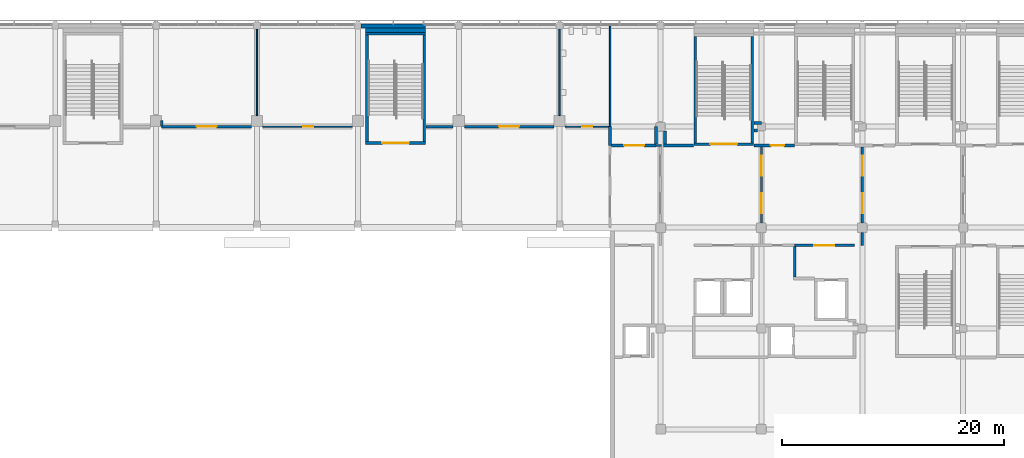
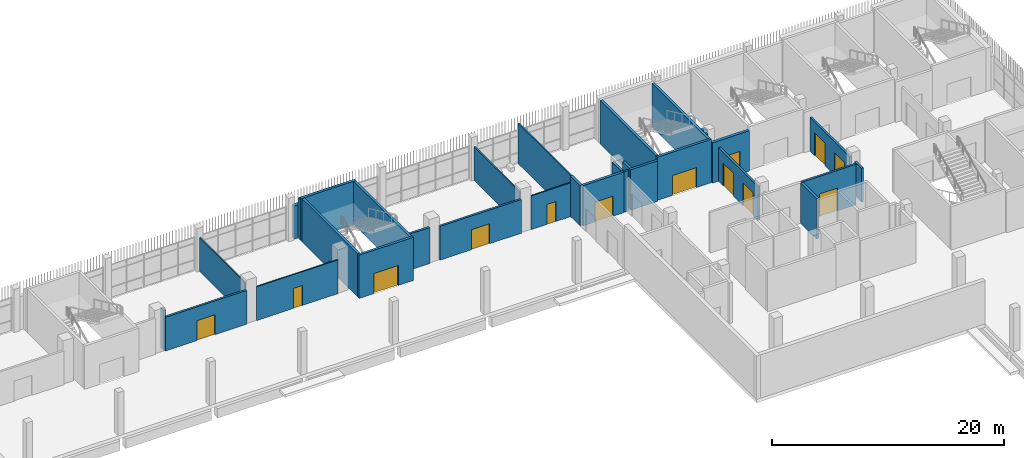
# One storey, part 85 of 126: 32 walls, 13 doors, 13 openings.
"""IFC4 building model written with IfcOpenShell, lengths in metres."""

from ifc_helpers import new_model, si_unit, direction, frame, frame_2d, origin, place, context, subcontext, project, spatial, rectangle, extrude, material, layer, layer_set, type_object, element, fill, save


model = new_model("IFC4")

# Units and contexts
model_context = context("Model", 3, precision=1e-05, world=origin(), true_north=direction((0.0, 1.0)))
body_context = subcontext(model_context, "Body", "Model", "MODEL_VIEW")
ifc_project = project(units=[si_unit("LENGTHUNIT", "METRE"), si_unit("AREAUNIT", "SQUARE_METRE"), si_unit("VOLUMEUNIT", "CUBIC_METRE"), si_unit("PLANEANGLEUNIT", "RADIAN"), si_unit("MASSUNIT", "GRAM", prefix="KILO")], contexts=[model_context])

# Site, building, storey
site_placement = place(None, origin())
site = spatial("IfcSite", under=ifc_project, at=site_placement, CompositionType="ELEMENT")
building_placement = place(site_placement, origin())
building = spatial("IfcBuilding", under=site, at=building_placement, Name="Shirokan Park Arena", CompositionType="ELEMENT")
storey_placement = place(building_placement, frame((0.0, 0.0, 6.3701171875)))
storey = spatial("IfcBuildingStorey", under=building, at=storey_placement, Name="L01", CompositionType="ELEMENT", Elevation=6.3701171875)

# Wall
ifc_material_1 = material(Name="Plaster")
ifc_layer_1 = layer(ifc_material_1, 0.014892578125, Name="Plaster")
ifc_material_2 = material(Name="Concrete blockwork", Category="masonry")
ifc_layer_2 = layer(ifc_material_2, 0.219970703125, Name="Concrete blockwork 220")
ifc_layer_3 = layer(ifc_material_1, 0.014892578125, Name="Plaster")
ifc_layer_set_1 = layer_set([ifc_layer_1, ifc_layer_2, ifc_layer_3], Name="Plaster + Concrete blockwork 220")
wall_type_1 = type_object("IfcWallType", Name="Compartment wall 250", PredefinedType="SOLIDWALL", material=ifc_layer_set_1)
wall_1_placement = place(storey_placement, frame((104.64990234375, 98.39990234375, 0.0), z_axis=(0.0, 0.0, 1.0), x_axis=(0.0, 1.0, 0.0)))
element("IfcWall", 1, at=wall_1_placement, inside=storey, type_object=wall_type_1, Name="Compartment wall 250 L01", PredefinedType="SOLIDWALL", context=body_context, shape_type="SweptSolid", body=[
    extrude(rectangle(XDim=1.7001953125, YDim=0.25, at=frame_2d((0.85009765625, 0.0))), origin(), (0.0, 0.0, 1.0), 4.25),
])

# Wall, opening, door
wall_2_placement = place(storey_placement, frame((104.77490234375, 98.39990234375, 0.0), z_axis=(0.0, 0.0, 1.0), x_axis=(1.0, 0.0, 0.0)))
wall_2 = element("IfcWall", 2, at=wall_2_placement, inside=storey, type_object=wall_type_1, Name="Compartment wall 250 L01", PredefinedType="SOLIDWALL", context=body_context, shape_type="SweptSolid", body=[
    extrude(rectangle(XDim=4.025146484375, YDim=0.25, at=frame_2d((2.0126953125, 0.0))), origin(), (0.0, 0.0, 1.0), 4.25),
])
opening_1_placement = place(wall_2_placement, frame((1.14990234375, 0.0, 0.0)))
opening_1 = element("IfcOpeningElement", 3, at=opening_1_placement, cuts=wall_2, Name="Opening D-1023", PredefinedType="OPENING", context=body_context, shape_type="SweptSolid", body=[
    extrude(rectangle(XDim=1.800048828125, YDim=2.10009765625, at=frame_2d((0.89990234375, 1.050048828125))), frame((0.0, 0.135009765625, 0.0), z_axis=(0.0, -1.0, 0.0), x_axis=(1.0, 0.0, 0.0)), (0.0, 0.0, 1.0), 0.27001953125),
])
ifc_material_3 = material(Name="Timber door set, fire resisting", Category="wood")
door_type_1 = type_object("IfcDoorType", Name="Double door 1800 x 2100", OperationType="DOUBLE_DOOR_SINGLE_SWING", PredefinedType="DOOR", material=ifc_material_3)
door_1_placement = place(opening_1_placement, origin())
door_1 = element("IfcDoor", 4, at=door_1_placement, inside=storey, type_object=door_type_1, Name="Door to Kiosk Store 1.33 D-1023", OperationType="DOUBLE_DOOR_SINGLE_SWING", OverallHeight=2.10009765625, OverallWidth=1.800048828125, PredefinedType="DOOR", context=body_context, shape_type="SweptSolid", body=[
    extrude(rectangle(XDim=1.800048828125, YDim=2.10009765625, at=frame_2d((0.89990234375, 1.050048828125))), frame((0.0, 0.02490234375, 0.0), z_axis=(0.0, -1.0, 0.0), x_axis=(1.0, 0.0, 0.0)), (0.0, 0.0, 1.0), 0.050048828125),
])
fill(opening_1, door_1)

# Walls
wall_3_placement = place(storey_placement, frame((108.800048828125, 98.52490234375, 0.0), z_axis=(0.0, 0.0, 1.0), x_axis=(0.0, 1.0, 0.0)))
element("IfcWall", 5, at=wall_3_placement, inside=storey, type_object=wall_type_1, Name="Compartment wall 250 L01", PredefinedType="SOLIDWALL", context=body_context, shape_type="SweptSolid", body=[
    extrude(rectangle(XDim=1.5751953125, YDim=0.25, at=frame_2d((0.78759765625, 0.0))), origin(), (0.0, 0.0, 1.0), 4.25),
])
wall_4_placement = place(storey_placement, frame((109.47509765625, 98.39990234375, 0.0), z_axis=(0.0, 0.0, 1.0), x_axis=(1.0, 0.0, 0.0)))
element("IfcWall", 6, at=wall_4_placement, inside=storey, type_object=wall_type_1, Name="Compartment wall 250 L01", PredefinedType="SOLIDWALL", context=body_context, shape_type="SweptSolid", body=[
    extrude(rectangle(XDim=2.69482421875, YDim=0.25, at=frame_2d((1.347412109375, 0.0))), origin(), (0.0, 0.0, 1.0), 4.25),
])
wall_5_placement = place(storey_placement, frame((109.60009765625, 99.699951171875, 0.0), z_axis=(0.0, 0.0, 1.0), x_axis=(0.0, -1.0, 0.0)))
element("IfcWall", 7, at=wall_5_placement, inside=storey, type_object=wall_type_1, Name="Compartment wall 250 L01", PredefinedType="SOLIDWALL", context=body_context, shape_type="SweptSolid", body=[
    extrude(rectangle(XDim=1.175048828125, YDim=0.25, at=frame_2d((0.58740234375, 0.0))), origin(), (0.0, 0.0, 1.0), 4.25),
])
wall_6_placement = place(storey_placement, frame((121.300048828125, 89.27490234375, 0.0), z_axis=(0.0, 0.0, 1.0), x_axis=(0.0, -1.0, 0.0)))
element("IfcWall", 8, at=wall_6_placement, inside=storey, type_object=wall_type_1, Name="Compartment wall 250 L01", PredefinedType="SOLIDWALL", context=body_context, shape_type="SweptSolid", body=[
    extrude(rectangle(XDim=2.75, YDim=0.25, at=frame_2d((1.375, 0.0))), origin(), (0.0, 0.0, 1.0), 4.25),
])

# Wall, opening, door
ifc_material_4 = material(Name="Gypsum board")
ifc_layer_4 = layer(ifc_material_4, 0.02490234375, Name="Gypsum board, two layers")
ifc_material_5 = material(Name="Mineral wool insulation")
ifc_layer_5 = layer(ifc_material_5, 0.14990234375, Name="Mineral wool insulation")
ifc_layer_6 = layer(ifc_material_4, 0.02490234375, Name="Gypsum board, two layers")
ifc_layer_set_2 = layer_set([ifc_layer_4, ifc_layer_5, ifc_layer_6], Name="Gypsum board, two layers + Mineral wool insulation")
wall_type_2 = type_object("IfcWallType", Name="Corridor wall 200", PredefinedType="PARTITIONING", material=ifc_layer_set_2)
wall_7_placement = place(storey_placement, frame((64.199951171875, 100.10009765625, 0.0), z_axis=(0.0, 0.0, 1.0), x_axis=(1.0, 0.0, 0.0)))
wall_7 = element("IfcWall", 9, at=wall_7_placement, inside=storey, type_object=wall_type_2, Name="Corridor wall 200 L01", PredefinedType="PARTITIONING", context=body_context, shape_type="SweptSolid", body=[
    extrude(rectangle(XDim=8.10009765625, YDim=0.199951171875, at=frame_2d((4.050048828125, 0.0))), origin(), (0.0, 0.0, 1.0), 3.5498046875),
])
opening_2_placement = place(wall_7_placement, frame((3.14990234375, 0.0, 0.0)))
opening_2 = element("IfcOpeningElement", 10, at=opening_2_placement, cuts=wall_7, Name="Opening D-1033", PredefinedType="OPENING", context=body_context, shape_type="SweptSolid", body=[
    extrude(rectangle(XDim=1.800048828125, YDim=2.10009765625, at=frame_2d((0.89990234375, 1.050048828125))), frame((0.0, 0.10986328125, 0.0), z_axis=(0.0, -1.0, 0.0), x_axis=(1.0, 0.0, 0.0)), (0.0, 0.0, 1.0), 0.219970703125),
])
door_2_placement = place(opening_2_placement, origin())
door_2 = element("IfcDoor", 11, at=door_2_placement, inside=storey, type_object=door_type_1, Name="Door to Concession Stand 1.33 D-1033", OperationType="DOUBLE_DOOR_SINGLE_SWING", OverallHeight=2.10009765625, OverallWidth=1.800048828125, PredefinedType="DOOR", context=body_context, shape_type="SweptSolid", body=[
    extrude(rectangle(XDim=1.800048828125, YDim=2.10009765625, at=frame_2d((0.89990234375, 1.050048828125))), frame((0.0, 0.02490234375, 0.0), z_axis=(0.0, -1.0, 0.0), x_axis=(1.0, 0.0, 0.0)), (0.0, 0.0, 1.0), 0.050048828125),
])
fill(opening_2, door_2)

# Walls
wall_8_placement = place(storey_placement, frame((64.199951171875, 100.64990234375, 0.0), z_axis=(0.0, 0.0, 1.0), x_axis=(0.0, -1.0, 0.0)))
element("IfcWall", 12, at=wall_8_placement, inside=storey, type_object=wall_type_2, Name="Corridor wall 200 L01", PredefinedType="PARTITIONING", context=body_context, shape_type="SweptSolid", body=[
    extrude(rectangle(XDim=0.5, YDim=0.199951171875, at=frame_2d((0.25, 0.0))), origin(), (0.0, 0.0, 1.0), 4.25),
])
wall_9_placement = place(storey_placement, frame((88.030029296875, 100.10009765625, 0.0), z_axis=(0.0, 0.0, 1.0), x_axis=(1.0, 0.0, 0.0)))
element("IfcWall", 13, at=wall_9_placement, inside=storey, type_object=wall_type_2, Name="Corridor wall 200 L01", PredefinedType="PARTITIONING", context=body_context, shape_type="SweptSolid", body=[
    extrude(rectangle(XDim=2.469970703125, YDim=0.199951171875, at=frame_2d((1.23486328125, 0.0))), origin(), (0.0, 0.0, 1.0), 3.7998046875),
])

# Wall, opening, door
wall_10_placement = place(storey_placement, frame((91.5, 100.10009765625, 0.0), z_axis=(0.0, 0.0, 1.0), x_axis=(1.0, 0.0, 0.0)))
wall_10 = element("IfcWall", 14, at=wall_10_placement, inside=storey, type_object=wall_type_2, Name="Corridor wall 200 L01", PredefinedType="PARTITIONING", context=body_context, shape_type="SweptSolid", body=[
    extrude(rectangle(XDim=8.10009765625, YDim=0.199951171875, at=frame_2d((4.050048828125, 0.0))), origin(), (0.0, 0.0, 1.0), 3.5498046875),
])
opening_3_placement = place(wall_10_placement, frame((3.14990234375, 0.0, 0.0)))
opening_3 = element("IfcOpeningElement", 15, at=opening_3_placement, cuts=wall_10, Name="Opening D-1035", PredefinedType="OPENING", context=body_context, shape_type="SweptSolid", body=[
    extrude(rectangle(XDim=1.800048828125, YDim=2.10009765625, at=frame_2d((0.89990234375, 1.050048828125))), frame((0.0, 0.10986328125, 0.0), z_axis=(0.0, -1.0, 0.0), x_axis=(1.0, 0.0, 0.0)), (0.0, 0.0, 1.0), 0.219970703125),
])
door_3_placement = place(opening_3_placement, origin())
door_3 = element("IfcDoor", 16, at=door_3_placement, inside=storey, type_object=door_type_1, Name="Door to Concession Stand 1.35 D-1035", OperationType="DOUBLE_DOOR_SINGLE_SWING", OverallHeight=2.10009765625, OverallWidth=1.800048828125, PredefinedType="DOOR", context=body_context, shape_type="SweptSolid", body=[
    extrude(rectangle(XDim=1.800048828125, YDim=2.10009765625, at=frame_2d((0.89990234375, 1.050048828125))), frame((0.0, 0.02490234375, 0.0), z_axis=(0.0, -1.0, 0.0), x_axis=(1.0, 0.0, 0.0)), (0.0, 0.0, 1.0), 0.050048828125),
])
fill(opening_3, door_3)

# Wall
wall_11_placement = place(storey_placement, frame((109.300048828125, 98.39990234375, 0.0), z_axis=(0.0, 0.0, 1.0), x_axis=(-1.0, 0.0, 0.0)))
element("IfcWall", 17, at=wall_11_placement, inside=storey, type_object=wall_type_2, Name="Corridor wall 200 L01", PredefinedType="PARTITIONING", context=body_context, shape_type="SweptSolid", body=[
    extrude(rectangle(XDim=0.5, YDim=0.199951171875, at=frame_2d((0.25, 0.0))), origin(), (0.0, 0.0, 1.0), 4.25),
])

# Wall, openings, doors
wall_12_placement = place(storey_placement, frame((118.300048828125, 91.425048828125, 0.0), z_axis=(0.0, 0.0, 1.0), x_axis=(0.0, 1.0, 0.0)))
wall_12 = element("IfcWall", 18, at=wall_12_placement, inside=storey, type_object=wall_type_2, Name="Corridor wall 200 L01", PredefinedType="PARTITIONING", context=body_context, shape_type="SweptSolid", body=[
    extrude(rectangle(XDim=6.83740234375, YDim=0.199951171875, at=frame_2d((3.418701171875, 0.0))), origin(), (0.0, 0.0, 1.0), 3.5498046875),
])
opening_4_placement = place(wall_12_placement, frame((0.85009765625, 0.0, 0.0)))
opening_4 = element("IfcOpeningElement", 19, at=opening_4_placement, cuts=wall_12, Name="Opening D-1077", PredefinedType="OPENING", context=body_context, shape_type="SweptSolid", body=[
    extrude(rectangle(XDim=1.800048828125, YDim=2.39990234375, at=frame_2d((0.89990234375, 1.199951171875))), frame((0.0, 0.10986328125, 0.0), z_axis=(0.0, -1.0, 0.0), x_axis=(1.0, 0.0, 0.0)), (0.0, 0.0, 1.0), 0.219970703125),
])
opening_5_placement = place(wall_12_placement, frame((4.25, 0.0, 0.0)))
opening_5 = element("IfcOpeningElement", 20, at=opening_5_placement, cuts=wall_12, Name="Opening D-1078", PredefinedType="OPENING", context=body_context, shape_type="SweptSolid", body=[
    extrude(rectangle(XDim=1.800048828125, YDim=2.39990234375, at=frame_2d((0.89990234375, 1.199951171875))), frame((0.0, 0.10986328125, 0.0), z_axis=(0.0, -1.0, 0.0), x_axis=(1.0, 0.0, 0.0)), (0.0, 0.0, 1.0), 0.219970703125),
])
ifc_material_6 = material(Name="Glazed steel door set, fire resisting", Category="steel")
door_type_2 = type_object("IfcDoorType", Name="Lift lobby door 1800 x 2400", OperationType="DOUBLE_DOOR_SINGLE_SWING", PredefinedType="DOOR", material=ifc_material_6)
door_4_placement = place(opening_4_placement, origin())
door_4 = element("IfcDoor", 21, at=door_4_placement, inside=storey, type_object=door_type_2, Name="Door between Kiosk Court 3.1.3 and Retail Arcade 3.1.4 D-1077", OperationType="DOUBLE_DOOR_SINGLE_SWING", OverallHeight=2.39990234375, OverallWidth=1.800048828125, PredefinedType="DOOR", context=body_context, shape_type="SweptSolid", body=[
    extrude(rectangle(XDim=1.800048828125, YDim=2.39990234375, at=frame_2d((0.89990234375, 1.199951171875))), frame((0.0, 0.02490234375, 0.0), z_axis=(0.0, -1.0, 0.0), x_axis=(1.0, 0.0, 0.0)), (0.0, 0.0, 1.0), 0.050048828125),
])
fill(opening_4, door_4)
door_5_placement = place(opening_5_placement, origin())
door_5 = element("IfcDoor", 22, at=door_5_placement, inside=storey, type_object=door_type_2, Name="Door between Kiosk Court 3.1.3 and Retail Arcade 3.1.4 D-1078", OperationType="DOUBLE_DOOR_SINGLE_SWING", OverallHeight=2.39990234375, OverallWidth=1.800048828125, PredefinedType="DOOR", context=body_context, shape_type="SweptSolid", body=[
    extrude(rectangle(XDim=1.800048828125, YDim=2.39990234375, at=frame_2d((0.89990234375, 1.199951171875))), frame((0.0, 0.02490234375, 0.0), z_axis=(0.0, -1.0, 0.0), x_axis=(1.0, 0.0, 0.0)), (0.0, 0.0, 1.0), 0.050048828125),
])
fill(opening_5, door_5)

# Wall, opening, door
wall_13_placement = place(storey_placement, frame((126.699951171875, 89.39990234375, 0.0), z_axis=(0.0, 0.0, 1.0), x_axis=(-1.0, 0.0, 0.0)))
wall_13 = element("IfcWall", 23, at=wall_13_placement, inside=storey, type_object=wall_type_2, Name="Corridor wall 200 L01", PredefinedType="PARTITIONING", context=body_context, shape_type="SweptSolid", body=[
    extrude(rectangle(XDim=5.39990234375, YDim=0.199951171875, at=frame_2d((2.699951171875, 0.0))), origin(), (0.0, 0.0, 1.0), 4.25),
])
opening_6_placement = place(wall_13_placement, frame((1.85009765625, 0.0, 0.0)))
opening_6 = element("IfcOpeningElement", 24, at=opening_6_placement, cuts=wall_13, Name="Opening D-1079", PredefinedType="OPENING", context=body_context, shape_type="SweptSolid", body=[
    extrude(rectangle(XDim=1.800048828125, YDim=2.39990234375, at=frame_2d((0.89990234375, 1.199951171875))), frame((0.0, 0.10986328125, 0.0), z_axis=(0.0, -1.0, 0.0), x_axis=(1.0, 0.0, 0.0)), (0.0, 0.0, 1.0), 0.219970703125),
])
door_6_placement = place(opening_6_placement, origin())
door_6 = element("IfcDoor", 25, at=door_6_placement, inside=storey, type_object=door_type_2, Name="Door between Kiosk Court 3.1.3 and Service Lift Lobby 3.1 D-1079", OperationType="DOUBLE_DOOR_SINGLE_SWING", OverallHeight=2.39990234375, OverallWidth=1.800048828125, PredefinedType="DOOR", context=body_context, shape_type="SweptSolid", body=[
    extrude(rectangle(XDim=1.800048828125, YDim=2.39990234375, at=frame_2d((0.89990234375, 1.199951171875))), frame((0.0, 0.02490234375, 0.0), z_axis=(0.0, -1.0, 0.0), x_axis=(1.0, 0.0, 0.0)), (0.0, 0.0, 1.0), 0.050048828125),
])
fill(opening_6, door_6)

# Wall
wall_14_placement = place(storey_placement, frame((127.39990234375, 89.39990234375, 0.0), z_axis=(0.0, 0.0, 1.0), x_axis=(0.0, 1.0, 0.0)))
element("IfcWall", 26, at=wall_14_placement, inside=storey, type_object=wall_type_2, Name="Corridor wall 200 L01", PredefinedType="PARTITIONING", context=body_context, shape_type="SweptSolid", body=[
    extrude(rectangle(XDim=1.175048828125, YDim=0.199951171875, at=frame_2d((0.58740234375, 0.0))), origin(), (0.0, 0.0, 1.0), 3.5498046875),
])

# Wall, openings, doors
wall_15_placement = place(storey_placement, frame((127.39990234375, 91.425048828125, 0.0), z_axis=(0.0, 0.0, 1.0), x_axis=(0.0, 1.0, 0.0)))
wall_15 = element("IfcWall", 27, at=wall_15_placement, inside=storey, type_object=wall_type_2, Name="Corridor wall 200 L01", PredefinedType="PARTITIONING", context=body_context, shape_type="SweptSolid", body=[
    extrude(rectangle(XDim=6.849853515625, YDim=0.199951171875, at=frame_2d((3.4248046875, 0.0))), origin(), (0.0, 0.0, 1.0), 3.5498046875),
])
opening_7_placement = place(wall_15_placement, frame((0.85009765625, 0.0, 0.0)))
opening_7 = element("IfcOpeningElement", 28, at=opening_7_placement, cuts=wall_15, Name="Opening D-1075", PredefinedType="OPENING", context=body_context, shape_type="SweptSolid", body=[
    extrude(rectangle(XDim=1.800048828125, YDim=2.39990234375, at=frame_2d((0.89990234375, 1.199951171875))), frame((0.0, 0.10986328125, 0.0), z_axis=(0.0, -1.0, 0.0), x_axis=(1.0, 0.0, 0.0)), (0.0, 0.0, 1.0), 0.219970703125),
])
opening_8_placement = place(wall_15_placement, frame((4.25, 0.0, 0.0)))
opening_8 = element("IfcOpeningElement", 29, at=opening_8_placement, cuts=wall_15, Name="Opening D-1076", PredefinedType="OPENING", context=body_context, shape_type="SweptSolid", body=[
    extrude(rectangle(XDim=1.800048828125, YDim=2.39990234375, at=frame_2d((0.89990234375, 1.199951171875))), frame((0.0, 0.10986328125, 0.0), z_axis=(0.0, -1.0, 0.0), x_axis=(1.0, 0.0, 0.0)), (0.0, 0.0, 1.0), 0.219970703125),
])
door_7_placement = place(opening_7_placement, origin())
door_7 = element("IfcDoor", 30, at=door_7_placement, inside=storey, type_object=door_type_2, Name="Door between First Aid Lobby 3.1.2 and Kiosk Court 3.1.3 D-1075", OperationType="DOUBLE_DOOR_SINGLE_SWING", OverallHeight=2.39990234375, OverallWidth=1.800048828125, PredefinedType="DOOR", context=body_context, shape_type="SweptSolid", body=[
    extrude(rectangle(XDim=1.800048828125, YDim=2.39990234375, at=frame_2d((0.89990234375, 1.199951171875))), frame((0.0, 0.02490234375, 0.0), z_axis=(0.0, -1.0, 0.0), x_axis=(1.0, 0.0, 0.0)), (0.0, 0.0, 1.0), 0.050048828125),
])
fill(opening_7, door_7)
door_8_placement = place(opening_8_placement, origin())
door_8 = element("IfcDoor", 31, at=door_8_placement, inside=storey, type_object=door_type_2, Name="Door between First Aid Lobby 3.1.2 and Kiosk Court 3.1.3 D-1076", OperationType="DOUBLE_DOOR_SINGLE_SWING", OverallHeight=2.39990234375, OverallWidth=1.800048828125, PredefinedType="DOOR", context=body_context, shape_type="SweptSolid", body=[
    extrude(rectangle(XDim=1.800048828125, YDim=2.39990234375, at=frame_2d((0.89990234375, 1.199951171875))), frame((0.0, 0.02490234375, 0.0), z_axis=(0.0, -1.0, 0.0), x_axis=(1.0, 0.0, 0.0)), (0.0, 0.0, 1.0), 0.050048828125),
])
fill(opening_8, door_8)

# Wall
ifc_material_7 = material(Name="Cedar cladding")
ifc_layer_7 = layer(ifc_material_7, 0.030029296875, Name="Cedar cladding")
ifc_layer_8 = layer(ifc_material_5, 0.10009765625, Name="Mineral wool insulation")
ifc_material_8 = material(Name="Concrete C35", Category="concrete")
ifc_layer_9 = layer(ifc_material_8, 0.199951171875, Name="Concrete C35")
ifc_material_9 = material(Name="Gypsum board lining")
ifc_layer_10 = layer(ifc_material_9, 0.02001953125, Name="Gypsum board lining")
ifc_layer_set_3 = layer_set([ifc_layer_7, ifc_layer_8, ifc_layer_9, ifc_layer_10], Name="Cedar cladding + Mineral wool insulation + Concrete C35 + Gypsum board lining")
wall_type_3 = type_object("IfcWallType", Name="Insulated tower wall 350", PredefinedType="SOLIDWALL", material=ifc_layer_set_3)
wall_16_placement = place(storey_placement, frame((88.0, 109.175048828125, 0.0), z_axis=(0.0, 0.0, 1.0), x_axis=(-1.0, 0.0, 0.0)))
element("IfcWall", 32, at=wall_16_placement, inside=storey, type_object=wall_type_3, Name="North facade wall bay 7 L01", PredefinedType="SOLIDWALL", context=body_context, shape_type="SweptSolid", body=[
    extrude(rectangle(XDim=5.800048828125, YDim=0.35009765625, at=frame_2d((2.89990234375, 0.0))), origin(), (0.0, 0.0, 1.0), 3.5),
])

# Wall, opening, door
ifc_layer_11 = layer(ifc_material_1, 0.012451171875, Name="Plaster")
ifc_layer_12 = layer(ifc_material_2, 0.25, Name="Concrete blockwork 250")
ifc_layer_13 = layer(ifc_material_1, 0.012451171875, Name="Plaster")
ifc_layer_set_4 = layer_set([ifc_layer_11, ifc_layer_12, ifc_layer_13], Name="Plaster + Concrete blockwork 250")
wall_type_4 = type_object("IfcWallType", Name="Plant room wall 275", PredefinedType="SOLIDWALL", material=ifc_layer_set_4)
wall_17_placement = place(storey_placement, frame((117.6298828125, 98.39990234375, 0.0), z_axis=(0.0, 0.0, 1.0), x_axis=(1.0, 0.0, 0.0)))
wall_17 = element("IfcWall", 33, at=wall_17_placement, inside=storey, type_object=wall_type_4, Name="Plant room wall 275 L01", PredefinedType="SOLIDWALL", context=body_context, shape_type="SweptSolid", body=[
    extrude(rectangle(XDim=3.64013671875, YDim=0.27490234375, at=frame_2d((1.820068359375, 0.0))), origin(), (0.0, 0.0, 1.0), 4.25),
])
opening_9_placement = place(wall_17_placement, frame((1.52001953125, 0.0, 0.0)))
opening_9 = element("IfcOpeningElement", 34, at=opening_9_placement, cuts=wall_17, Name="Opening D-1022", PredefinedType="OPENING", context=body_context, shape_type="SweptSolid", body=[
    extrude(rectangle(XDim=1.199951171875, YDim=2.39990234375, at=frame_2d((0.60009765625, 1.199951171875))), frame((0.0, 0.1474609375, 0.0), z_axis=(0.0, -1.0, 0.0), x_axis=(1.0, 0.0, 0.0)), (0.0, 0.0, 1.0), 0.294921875),
])
ifc_material_10 = material(Name="Louvred steel door set, fire resisting", Category="steel")
door_type_3 = type_object("IfcDoorType", Name="Plant room door 1200 x 2400", OperationType="SINGLE_SWING_LEFT", PredefinedType="DOOR", material=ifc_material_10)
door_9_placement = place(opening_9_placement, origin())
door_9 = element("IfcDoor", 35, at=door_9_placement, inside=storey, type_object=door_type_3, Name="Door to Electrical Room 1.32 D-1022", OperationType="SINGLE_SWING_RIGHT", OverallHeight=2.39990234375, OverallWidth=1.199951171875, PredefinedType="DOOR", context=body_context, shape_type="SweptSolid", body=[
    extrude(rectangle(XDim=1.199951171875, YDim=2.39990234375, at=frame_2d((0.60009765625, 1.199951171875))), frame((0.0, 0.02490234375, 0.0), z_axis=(0.0, -1.0, 0.0), x_axis=(1.0, 0.0, 0.0)), (0.0, 0.0, 1.0), 0.050048828125),
])
fill(opening_9, door_9)

# Walls
wall_18_placement = place(storey_placement, frame((117.6298828125, 99.75, 0.0), z_axis=(0.0, 0.0, 1.0), x_axis=(1.0, 0.0, 0.0)))
element("IfcWall", 36, at=wall_18_placement, inside=storey, type_object=wall_type_4, Name="Plant room wall 275 L01", PredefinedType="SOLIDWALL", context=body_context, shape_type="SweptSolid", body=[
    extrude(rectangle(XDim=0.320068359375, YDim=0.27490234375, at=frame_2d((0.16015625, 0.0))), origin(), (0.0, 0.0, 1.0), 4.25),
])
wall_19_placement = place(storey_placement, frame((117.6298828125, 100.449951171875, 0.0), z_axis=(0.0, 0.0, 1.0), x_axis=(1.0, 0.0, 0.0)))
element("IfcWall", 37, at=wall_19_placement, inside=storey, type_object=wall_type_4, Name="Plant room wall 275 L01", PredefinedType="SOLIDWALL", context=body_context, shape_type="SweptSolid", body=[
    extrude(rectangle(XDim=0.670166015625, YDim=0.27490234375, at=frame_2d((0.3349609375, 0.0))), origin(), (0.0, 0.0, 1.0), 4.25),
])

# Wall, opening, door
ifc_material_11 = material(Name="Concrete C40/50", Category="concrete")
ifc_layer_14 = layer(ifc_material_11, 0.25)
ifc_layer_set_5 = layer_set([ifc_layer_14], Name="Concrete C40/50 250 mm")
wall_type_5 = type_object("IfcWallType", Name="RC shear wall 250", PredefinedType="SHEAR", material=ifc_layer_set_5)
wall_20_placement = place(storey_placement, frame((117.60009765625, 98.52490234375, 0.0), z_axis=(0.0, 0.0, 1.0), x_axis=(-1.0, 0.0, 0.0)))
wall_20 = element("IfcWall", 38, at=wall_20_placement, inside=storey, type_object=wall_type_5, Name="Shaft wall Exit Stair 3.D S L01", PredefinedType="SHEAR", context=body_context, shape_type="SweptSolid", body=[
    extrude(rectangle(XDim=5.400146484375, YDim=0.25, at=frame_2d((2.7001953125, 0.0))), origin(), (0.0, 0.0, 1.0), 4.5498046875),
])
opening_10_placement = place(wall_20_placement, frame((1.5, 0.0, 0.0)))
opening_10 = element("IfcOpeningElement", 39, at=opening_10_placement, cuts=wall_20, Name="Opening D-1121", PredefinedType="OPENING", context=body_context, shape_type="SweptSolid", body=[
    extrude(rectangle(XDim=2.39990234375, YDim=2.10009765625, at=frame_2d((1.199951171875, 1.050048828125))), frame((0.0, 0.135009765625, 0.0), z_axis=(0.0, -1.0, 0.0), x_axis=(1.0, 0.0, 0.0)), (0.0, 0.0, 1.0), 0.27001953125),
])
ifc_material_12 = material(Name="Steel door set, fire resisting", Category="steel")
door_type_4 = type_object("IfcDoorType", Name="Stair door 2400 x 2100", OperationType="DOUBLE_DOOR_SINGLE_SWING", PredefinedType="DOOR", material=ifc_material_12)
door_10_placement = place(opening_10_placement, origin())
door_10 = element("IfcDoor", 40, at=door_10_placement, inside=storey, type_object=door_type_4, Name="Stair door Exit Stair 3.D D-1121", OperationType="DOUBLE_DOOR_SINGLE_SWING", OverallHeight=2.10009765625, OverallWidth=2.39990234375, PredefinedType="DOOR", context=body_context, shape_type="SweptSolid", body=[
    extrude(rectangle(XDim=2.39990234375, YDim=2.10009765625, at=frame_2d((1.199951171875, 1.050048828125))), frame((0.0, 0.02490234375, 0.0), z_axis=(0.0, -1.0, 0.0), x_axis=(1.0, 0.0, 0.0)), (0.0, 0.0, 1.0), 0.050048828125),
])
fill(opening_10, door_10)

# Walls
for number, where, z_axis, x_axis, name in (
    (41, (112.324951171875, 108.25, 0.0), (0.0, 0.0, 1.0), (0.0, -1.0, 0.0), "Shaft wall Exit Stair 3.D W L01"),
    (42, (117.47509765625, 108.25, 0.0), (0.0, 0.0, 1.0), (0.0, -1.0, 0.0), "Shaft wall Exit Stair 3.D E L01"),
):
    element("IfcWall", number, at=place(storey_placement, frame(where, z_axis=z_axis, x_axis=x_axis)), inside=storey, type_object=wall_type_5, Name=name, PredefinedType="SHEAR", context=body_context, shape_type="SweptSolid", body=[
        extrude(rectangle(XDim=9.60009765625, YDim=0.25, at=frame_2d((4.800048828125, 0.0))), origin(), (0.0, 0.0, 1.0), 4.5498046875),
    ])

# Wall, opening, door
wall_21_placement = place(storey_placement, frame((88.0, 98.625, 0.0), z_axis=(0.0, 0.0, 1.0), x_axis=(-1.0, 0.0, 0.0)))
wall_21 = element("IfcWall", 43, at=wall_21_placement, inside=storey, type_object=wall_type_5, Name="Shaft wall Entrance Stair E4.2 S L01", PredefinedType="SHEAR", context=body_context, shape_type="SweptSolid", body=[
    extrude(rectangle(XDim=5.39990234375, YDim=0.25, at=frame_2d((2.699951171875, 0.0))), origin(), (0.0, 0.0, 1.0), 4.5498046875),
])
opening_11_placement = place(wall_21_placement, frame((1.5, 0.0, 0.0)))
opening_11 = element("IfcOpeningElement", 44, at=opening_11_placement, cuts=wall_21, Name="Opening D-1125", PredefinedType="OPENING", context=body_context, shape_type="SweptSolid", body=[
    extrude(rectangle(XDim=2.39990234375, YDim=2.10009765625, at=frame_2d((1.199951171875, 1.050048828125))), frame((0.0, 0.135009765625, 0.0), z_axis=(0.0, -1.0, 0.0), x_axis=(1.0, 0.0, 0.0)), (0.0, 0.0, 1.0), 0.27001953125),
])
door_11_placement = place(opening_11_placement, origin())
door_11 = element("IfcDoor", 45, at=door_11_placement, inside=storey, type_object=door_type_4, Name="Stair door Entrance Stair E4.2 D-1125", OperationType="DOUBLE_DOOR_SINGLE_SWING", OverallHeight=2.10009765625, OverallWidth=2.39990234375, PredefinedType="DOOR", context=body_context, shape_type="SweptSolid", body=[
    extrude(rectangle(XDim=2.39990234375, YDim=2.10009765625, at=frame_2d((1.199951171875, 1.050048828125))), frame((0.0, 0.02490234375, 0.0), z_axis=(0.0, -1.0, 0.0), x_axis=(1.0, 0.0, 0.0)), (0.0, 0.0, 1.0), 0.050048828125),
])
fill(opening_11, door_11)

# Walls
wall_22_placement = place(storey_placement, frame((88.0, 108.47509765625, 0.0), z_axis=(0.0, 0.0, 1.0), x_axis=(-1.0, 0.0, 0.0)))
element("IfcWall", 46, at=wall_22_placement, inside=storey, type_object=wall_type_5, Name="Shaft wall Entrance Stair E4.2 N L01", PredefinedType="SHEAR", context=body_context, shape_type="SweptSolid", body=[
    extrude(rectangle(XDim=5.39990234375, YDim=0.25, at=frame_2d((2.699951171875, 0.0))), origin(), (0.0, 0.0, 1.0), 4.5498046875),
])
for number, where, z_axis, x_axis, name in (
    (47, (82.72509765625, 108.35009765625, 0.0), (0.0, 0.0, 1.0), (0.0, -1.0, 0.0), "Shaft wall Entrance Stair E4.2 W L01"),
    (48, (87.875, 108.35009765625, 0.0), (0.0, 0.0, 1.0), (0.0, -1.0, 0.0), "Shaft wall Entrance Stair E4.2 E L01"),
):
    element("IfcWall", number, at=place(storey_placement, frame(where, z_axis=z_axis, x_axis=x_axis)), inside=storey, type_object=wall_type_5, Name=name, PredefinedType="SHEAR", context=body_context, shape_type="SweptSolid", body=[
        extrude(rectangle(XDim=9.60009765625, YDim=0.25, at=frame_2d((4.800048828125, 0.0))), origin(), (0.0, 0.0, 1.0), 4.5498046875),
    ])
ifc_layer_15 = layer(ifc_material_8, 0.39990234375)
ifc_layer_set_6 = layer_set([ifc_layer_15], Name="Concrete C35 400 mm")
wall_type_6 = type_object("IfcWallType", Name="Shaft infill wall 400", PredefinedType="SOLIDWALL", material=ifc_layer_set_6)
wall_23_placement = place(storey_placement, frame((82.60009765625, 108.800048828125, 0.0), z_axis=(0.0, 0.0, 1.0), x_axis=(1.0, 0.0, 0.0)))
element("IfcWall", 49, at=wall_23_placement, inside=storey, type_object=wall_type_6, Name="Shaft infill wall L01", PredefinedType="SOLIDWALL", context=body_context, shape_type="SweptSolid", body=[
    extrude(rectangle(XDim=5.39990234375, YDim=0.39990234375, at=frame_2d((2.699951171875, 0.0))), origin(), (0.0, 0.0, 1.0), 4.25),
])
ifc_material_13 = material(Name="Ceramic tile")
ifc_layer_16 = layer(ifc_material_13, 0.010009765625, Name="Ceramic tile")
ifc_material_14 = material(Name="Cement board")
ifc_layer_17 = layer(ifc_material_14, 0.012451171875, Name="Cement board")
ifc_layer_18 = layer(ifc_material_5, 0.080078125, Name="Mineral wool insulation")
ifc_layer_19 = layer(ifc_material_14, 0.012451171875, Name="Cement board")
ifc_layer_20 = layer(ifc_material_13, 0.010009765625, Name="Ceramic tile")
ifc_layer_set_7 = layer_set([ifc_layer_16, ifc_layer_17, ifc_layer_18, ifc_layer_19, ifc_layer_20], Name="Ceramic tile + Cement board + Mineral wool insulation")
wall_type_7 = type_object("IfcWallType", Name="Wet-area wall 125", PredefinedType="PARTITIONING", material=ifc_layer_set_7)
wall_24_placement = place(storey_placement, frame((72.800048828125, 108.925048828125, 0.0), z_axis=(0.0, 0.0, 1.0), x_axis=(0.0, -1.0, 0.0)))
element("IfcWall", 50, at=wall_24_placement, inside=storey, type_object=wall_type_7, Name="Wet-area wall 125 L01", PredefinedType="PARTITIONING", context=body_context, shape_type="SweptSolid", body=[
    extrude(rectangle(XDim=7.824951171875, YDim=0.125, at=frame_2d((3.91259765625, 0.0))), origin(), (0.0, 0.0, 1.0), 3.5498046875),
])

# Wall, opening, door
wall_25_placement = place(storey_placement, frame((73.300048828125, 100.10009765625, 0.0), z_axis=(0.0, 0.0, 1.0), x_axis=(1.0, 0.0, 0.0)))
wall_25 = element("IfcWall", 51, at=wall_25_placement, inside=storey, type_object=wall_type_7, Name="Wet-area wall 125 L01", PredefinedType="PARTITIONING", context=body_context, shape_type="SweptSolid", body=[
    extrude(rectangle(XDim=8.099853515625, YDim=0.125, at=frame_2d((4.0498046875, 0.0))), origin(), (0.0, 0.0, 1.0), 3.5498046875),
])
opening_12_placement = place(wall_25_placement, frame((3.64990234375, 0.0, 0.0)))
opening_12 = element("IfcOpeningElement", 52, at=opening_12_placement, cuts=wall_25, Name="Opening D-1034", PredefinedType="OPENING", context=body_context, shape_type="SweptSolid", body=[
    extrude(rectangle(XDim=0.89990234375, YDim=2.10009765625, at=frame_2d((0.449951171875, 1.050048828125))), frame((0.0, 0.072509765625, 0.0), z_axis=(0.0, -1.0, 0.0), x_axis=(1.0, 0.0, 0.0)), (0.0, 0.0, 1.0), 0.14501953125),
])
door_type_5 = type_object("IfcDoorType", Name="Door 900 x 2100", OperationType="SINGLE_SWING_LEFT", PredefinedType="DOOR", material=ifc_material_3)
door_12_placement = place(opening_12_placement, origin())
door_12 = element("IfcDoor", 53, at=door_12_placement, inside=storey, type_object=door_type_5, Name="Door to Men's WC 1.34 D-1034", OperationType="SINGLE_SWING_LEFT", OverallHeight=2.10009765625, OverallWidth=0.89990234375, PredefinedType="DOOR", context=body_context, shape_type="SweptSolid", body=[
    extrude(rectangle(XDim=0.89990234375, YDim=2.10009765625, at=frame_2d((0.449951171875, 1.050048828125))), frame((0.0, 0.02490234375, 0.0), z_axis=(0.0, -1.0, 0.0), x_axis=(1.0, 0.0, 0.0)), (0.0, 0.0, 1.0), 0.050048828125),
])
fill(opening_12, door_12)

# Wall
wall_26_placement = place(storey_placement, frame((100.10009765625, 108.925048828125, 0.0), z_axis=(0.0, 0.0, 1.0), x_axis=(0.0, -1.0, 0.0)))
element("IfcWall", 54, at=wall_26_placement, inside=storey, type_object=wall_type_7, Name="Wet-area wall 125 L01", PredefinedType="PARTITIONING", context=body_context, shape_type="SweptSolid", body=[
    extrude(rectangle(XDim=7.824951171875, YDim=0.125, at=frame_2d((3.91259765625, 0.0))), origin(), (0.0, 0.0, 1.0), 3.5498046875),
])

# Wall, opening, door
wall_27_placement = place(storey_placement, frame((100.60009765625, 100.10009765625, 0.0), z_axis=(0.0, 0.0, 1.0), x_axis=(1.0, 0.0, 0.0)))
wall_27 = element("IfcWall", 55, at=wall_27_placement, inside=storey, type_object=wall_type_7, Name="Wet-area wall 125 L01", PredefinedType="PARTITIONING", context=body_context, shape_type="SweptSolid", body=[
    extrude(rectangle(XDim=3.9248046875, YDim=0.125, at=frame_2d((1.96240234375, 0.0))), origin(), (0.0, 0.0, 1.0), 3.5498046875),
])
opening_13_placement = place(wall_27_placement, frame((1.550048828125, 0.0, 0.0)))
opening_13 = element("IfcOpeningElement", 56, at=opening_13_placement, cuts=wall_27, Name="Opening D-1036", PredefinedType="OPENING", context=body_context, shape_type="SweptSolid", body=[
    extrude(rectangle(XDim=0.89990234375, YDim=2.10009765625, at=frame_2d((0.449951171875, 1.050048828125))), frame((0.0, 0.072509765625, 0.0), z_axis=(0.0, -1.0, 0.0), x_axis=(1.0, 0.0, 0.0)), (0.0, 0.0, 1.0), 0.14501953125),
])
door_13_placement = place(opening_13_placement, origin())
door_13 = element("IfcDoor", 57, at=door_13_placement, inside=storey, type_object=door_type_5, Name="Door to Men's WC 1.36 D-1036", OperationType="SINGLE_SWING_LEFT", OverallHeight=2.10009765625, OverallWidth=0.89990234375, PredefinedType="DOOR", context=body_context, shape_type="SweptSolid", body=[
    extrude(rectangle(XDim=0.89990234375, YDim=2.10009765625, at=frame_2d((0.449951171875, 1.050048828125))), frame((0.0, 0.02490234375, 0.0), z_axis=(0.0, -1.0, 0.0), x_axis=(1.0, 0.0, 0.0)), (0.0, 0.0, 1.0), 0.050048828125),
])
fill(opening_13, door_13)

# Wall
wall_28_placement = place(storey_placement, frame((104.64990234375, 100.10009765625, 0.0), z_axis=(0.0, 0.0, 1.0), x_axis=(0.0, 1.0, 0.0)))
element("IfcWall", 58, at=wall_28_placement, inside=storey, type_object=wall_type_7, Name="Wet-area wall 125 L01", PredefinedType="PARTITIONING", context=body_context, shape_type="SweptSolid", body=[
    extrude(rectangle(XDim=9.06982421875, YDim=0.125, at=frame_2d((4.534912109375, 0.0))), origin(), (0.0, 0.0, 1.0), 4.25),
])

save(model, "model.ifc")
